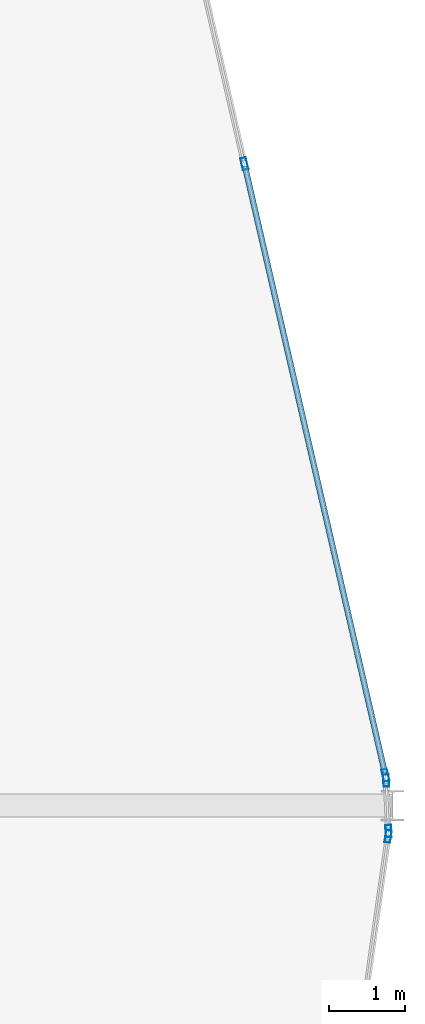
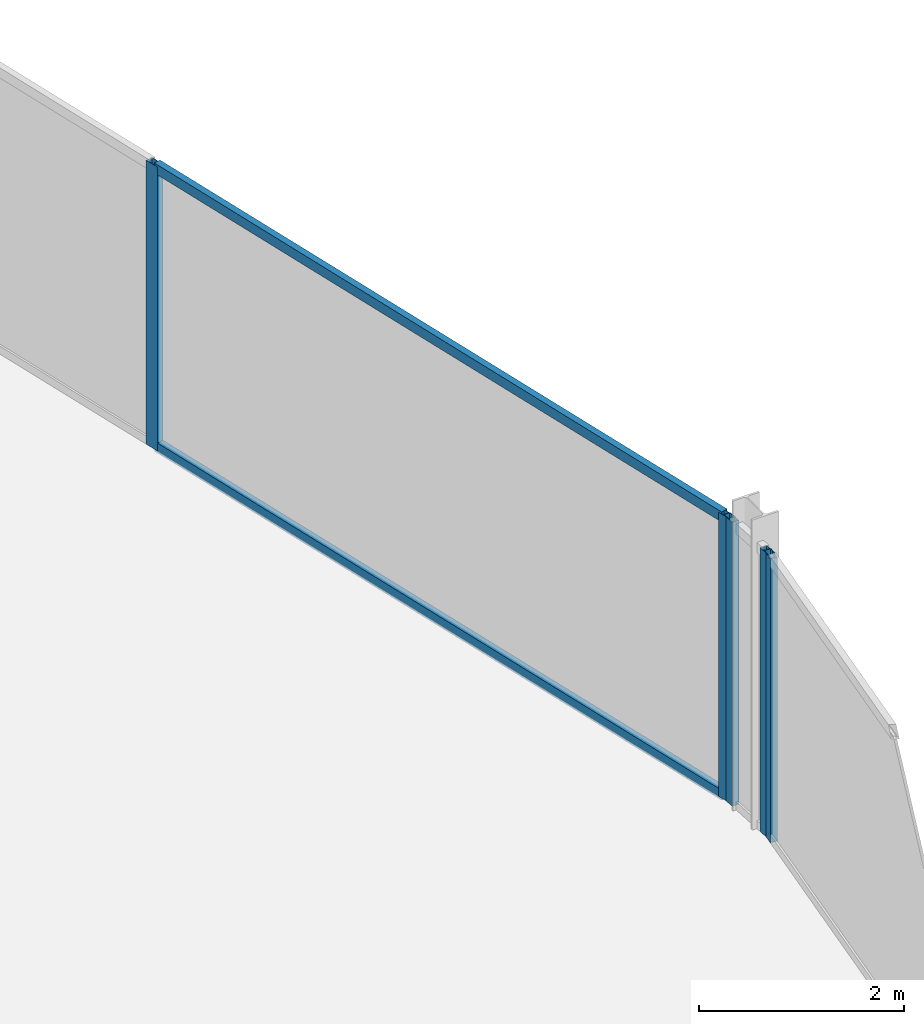
# One storey, part 14 of 27: 7 members, 3 elements without a shape of their own.
"""IFC4 building model written with IfcOpenShell, lengths in metres."""

from ifc_helpers import new_model, si_unit, direction, frame, origin, origin_2d, place, context, subcontext, project, spatial, hollow_rectangle, extrude, material, layer, layer_set, material_profile, profile_set, type_object, element, aggregate, save


model = new_model("IFC4")

# Units and contexts
model_context = context("Model", 3, precision=1e-05, world=origin(), true_north=direction((0.0, 1.0)))
body_context = subcontext(model_context, "Body", "Model", "MODEL_VIEW")
ifc_project = project(units=[si_unit("LENGTHUNIT", "METRE"), si_unit("AREAUNIT", "SQUARE_METRE"), si_unit("VOLUMEUNIT", "CUBIC_METRE"), si_unit("PLANEANGLEUNIT", "RADIAN"), si_unit("MASSUNIT", "GRAM", prefix="KILO")], contexts=[model_context])

# Site, building, storey
site_placement = place(None, origin())
site = spatial("IfcSite", under=ifc_project, at=site_placement, CompositionType="ELEMENT")
building_placement = place(site_placement, origin())
building = spatial("IfcBuilding", under=site, at=building_placement, Name="Keshet Zoharim Tower", CompositionType="ELEMENT")
storey_placement = place(building_placement, frame((0.0, 0.0, 284.300048828125)))
storey = spatial("IfcBuildingStorey", under=building, at=storey_placement, Name="L71", CompositionType="ELEMENT", Elevation=284.300048828125)

# Curtain wall, members
ifc_material = material(Name="Aluminium 6063-T6", Category="aluminium")
ifc_layer = layer(ifc_material, 0.260009765625)
ifc_layer_set = layer_set([ifc_layer], Name="Aluminium 6063-T6")
curtain_wall_type = type_object("IfcCurtainWallType", Name="CW-SYS-06", PredefinedType="NOTDEFINED", material=ifc_layer_set)
curtain_wall_1_placement = place(storey_placement, origin())
curtain_wall_1 = element("IfcCurtainWall", 1, at=curtain_wall_1_placement, inside=storey, type_object=curtain_wall_type, Name="L71 Unitised Curtain Wall 09", PredefinedType="NOTDEFINED")
ifc_material_profile_1 = material_profile(ifc_material, hollow_rectangle(XDim=0.074951171875, YDim=0.159912109375, WallThickness=0.00390625, at=origin_2d()), Name="MUL-75x160")
ifc_profile_set_1 = profile_set([ifc_material_profile_1], Name="Aluminium 6063-T6")
member_type_1 = type_object("IfcMemberType", Name="CWM-M15", PredefinedType="MULLION", material=ifc_profile_set_1)
member_1_placement = place(storey_placement, frame((43.063232421875, 36.291259765625, 0.0), z_axis=(0.0, 0.0, 1.0), x_axis=(0.974398012932, 0.224829963294, 0.0)))
member_1 = element("IfcMember", 2, at=member_1_placement, type_object=member_type_1, Name="CW-06 mullion 3", PredefinedType="MULLION", context=body_context, shape_type="SweptSolid", body=[
    extrude(hollow_rectangle(XDim=0.074951171875, YDim=0.159912109375, WallThickness=0.00390625, at=origin_2d()), origin(), (0.0, 0.0, 1.0), 3.389892578125),
])
member_2_placement = place(storey_placement, frame((44.908203125, 28.296142578125, 0.0), z_axis=(0.0, 0.0, 1.0), x_axis=(0.974398012932, 0.224829963294, 0.0)))
member_2 = element("IfcMember", 3, at=member_2_placement, type_object=member_type_1, Name="CW-06 mullion 4", PredefinedType="MULLION", context=body_context, shape_type="SweptSolid", body=[
    extrude(hollow_rectangle(XDim=0.074951171875, YDim=0.159912109375, WallThickness=0.00390625, at=origin_2d()), origin(), (0.0, 0.0, 1.0), 3.389892578125),
])

curtain_wall_2_placement = place(storey_placement, origin())
curtain_wall_2 = element("IfcCurtainWall", 4, at=curtain_wall_2_placement, inside=storey, type_object=curtain_wall_type, Name="L71 Unitised Curtain Wall 10", PredefinedType="NOTDEFINED")
member_3_placement = place(storey_placement, frame((44.91748046875, 28.22705078125, 0.0), z_axis=(0.0, 0.0, 1.0), x_axis=(0.999040601801, 0.043793560626, 0.0)))
member_3 = element("IfcMember", 5, at=member_3_placement, type_object=member_type_1, Name="CW-06 mullion 1", PredefinedType="MULLION", context=body_context, shape_type="SweptSolid", body=[
    extrude(hollow_rectangle(XDim=0.074951171875, YDim=0.159912109375, WallThickness=0.00390625, at=origin_2d()), origin(), (0.0, 0.0, 1.0), 3.389892578125),
])
member_4_placement = place(storey_placement, frame((44.946533203125, 27.56689453125, 0.0), z_axis=(0.0, 0.0, 1.0), x_axis=(0.999040601801, 0.043793560626, 0.0)))
member_4 = element("IfcMember", 6, at=member_4_placement, type_object=member_type_1, Name="CW-06 mullion 2", PredefinedType="MULLION", context=body_context, shape_type="SweptSolid", body=[
    extrude(hollow_rectangle(XDim=0.074951171875, YDim=0.159912109375, WallThickness=0.00390625, at=origin_2d()), origin(), (0.0, 0.0, 1.0), 3.389892578125),
])
aggregate(curtain_wall_2, [member_3, member_4])

# Curtain wall, member
curtain_wall_3_placement = place(storey_placement, origin())
curtain_wall_3 = element("IfcCurtainWall", 7, at=curtain_wall_3_placement, inside=storey, type_object=curtain_wall_type, Name="L71 Unitised Curtain Wall 11", PredefinedType="NOTDEFINED")
member_5_placement = place(storey_placement, frame((44.943115234375, 27.497314453125, 0.0), z_axis=(0.0, 0.0, 1.0), x_axis=(0.990132057422, -0.140137464177, 0.0)))
member_5 = element("IfcMember", 8, at=member_5_placement, type_object=member_type_1, Name="CW-06 mullion 1", PredefinedType="MULLION", context=body_context, shape_type="SweptSolid", body=[
    extrude(hollow_rectangle(XDim=0.074951171875, YDim=0.159912109375, WallThickness=0.00390625, at=origin_2d()), origin(), (0.0, 0.0, 1.0), 3.389892578125),
])
aggregate(curtain_wall_3, [member_5])

# Member
ifc_material_profile_2 = material_profile(ifc_material, hollow_rectangle(XDim=0.074951171875, YDim=0.1201171875, WallThickness=0.00390625, at=origin_2d()), Name="TRN-75x120")
ifc_profile_set_2 = profile_set([ifc_material_profile_2], Name="Aluminium 6063-T6")
member_type_2 = type_object("IfcMemberType", Name="CWT-T12", PredefinedType="USERDEFINED", material=ifc_profile_set_2)
member_6_placement = place(storey_placement, frame((43.0712890625, 36.25732421875, 0.034912109375), z_axis=(0.224806904107, -0.974403333259, 0.0), x_axis=(0.974403333259, 0.224806904107, 0.0)))
member_6 = element("IfcMember", 9, at=member_6_placement, type_object=member_type_2, Name="CW-06 transom 3.1", ObjectType="TRANSOM", PredefinedType="USERDEFINED", context=body_context, shape_type="SweptSolid", body=[
    extrude(hollow_rectangle(XDim=0.074951171875, YDim=0.1201171875, WallThickness=0.00390625, at=origin_2d()), origin(), (0.0, 0.0, 1.0), 8.13525390625),
])

member_7_placement = place(storey_placement, frame((43.0712890625, 36.25732421875, 3.35498046875), z_axis=(0.224806904107, -0.974403333259, 0.0), x_axis=(0.974403333259, 0.224806904107, 0.0)))
member_7 = element("IfcMember", 10, at=member_7_placement, type_object=member_type_2, Name="CW-06 transom 3.2", ObjectType="TRANSOM", PredefinedType="USERDEFINED", context=body_context, shape_type="SweptSolid", body=[
    extrude(hollow_rectangle(XDim=0.074951171875, YDim=0.1201171875, WallThickness=0.00390625, at=origin_2d()), origin(), (0.0, 0.0, 1.0), 8.13525390625),
])

aggregate(curtain_wall_1, [member_1, member_2, member_6, member_7])

save(model, "model.ifc")
